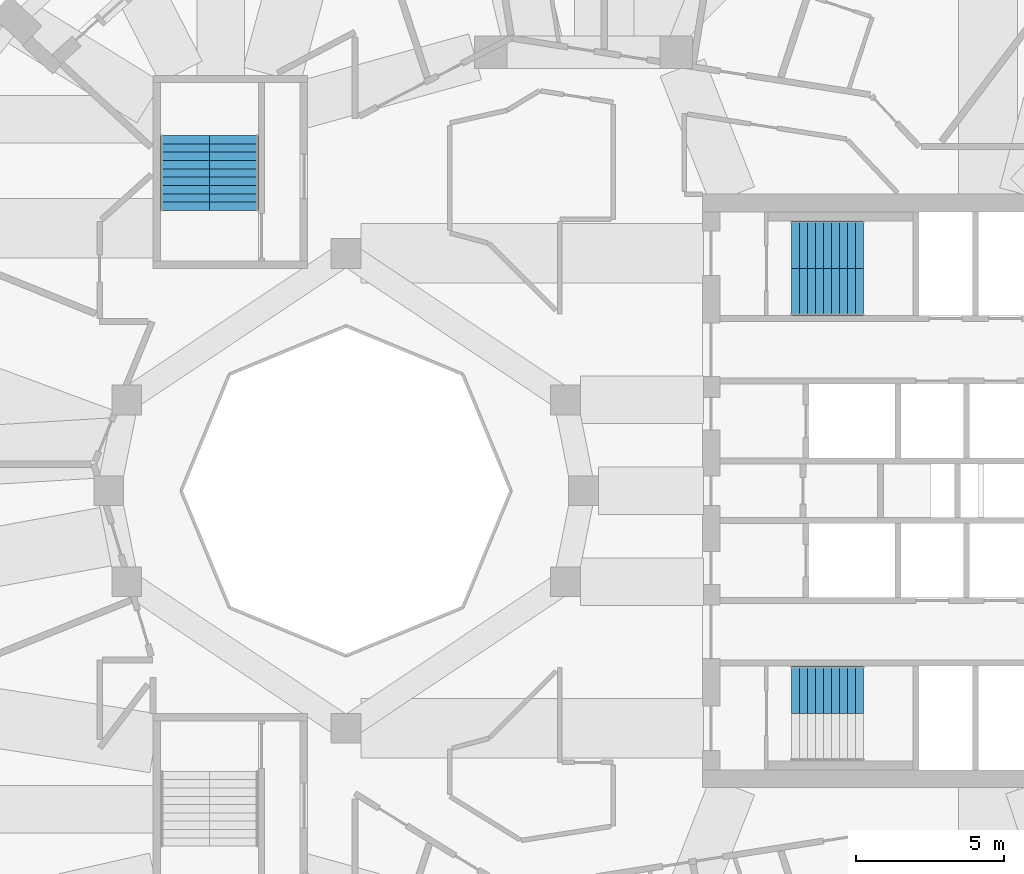
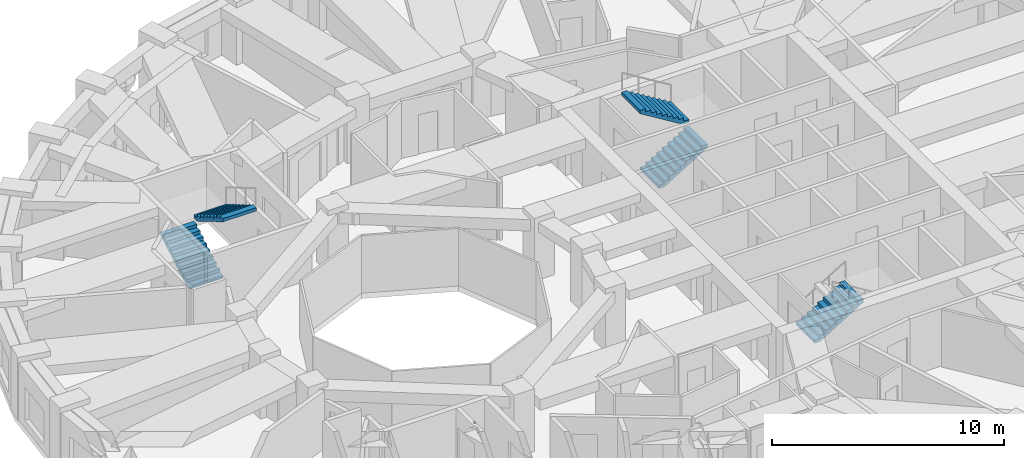
# One storey, part 9 of 12: 5 stair flights, 3 elements without a shape of their own.
"""IFC4 building model written with IfcOpenShell, lengths in metres."""

from ifc_helpers import new_model, si_unit, direction, frame, origin, place, context, subcontext, project, spatial, polyline, outline, extrude, material, type_object, element, aggregate, save


model = new_model("IFC4")

# Units and contexts
model_context = context("Model", 3, precision=1e-05, world=origin(), true_north=direction((0.0, 1.0)))
body_context = subcontext(model_context, "Body", "Model", "MODEL_VIEW")
ifc_project = project(units=[si_unit("LENGTHUNIT", "METRE"), si_unit("AREAUNIT", "SQUARE_METRE"), si_unit("VOLUMEUNIT", "CUBIC_METRE"), si_unit("PLANEANGLEUNIT", "RADIAN"), si_unit("MASSUNIT", "GRAM", prefix="KILO")], contexts=[model_context])

# Site, building, storey
site_placement = place(None, origin())
site = spatial("IfcSite", under=ifc_project, at=site_placement, CompositionType="ELEMENT")
building_placement = place(site_placement, origin())
building = spatial("IfcBuilding", under=site, at=building_placement, Name="Taillehof Tower", CompositionType="ELEMENT")
storey_placement = place(building_placement, frame((0.0, 0.0, 212.300048828125)))
storey = spatial("IfcBuildingStorey", under=building, at=storey_placement, Name="L60", CompositionType="ELEMENT", Elevation=212.300048828125)

# Stair, stair flights
ifc_material_1 = material(Name="Concrete C40/50", Category="concrete")
stair_type = type_object("IfcStairType", Name="Exit stair half-turn", PredefinedType="HALF_TURN_STAIR", material=ifc_material_1)
stair_1_placement = place(storey_placement, origin())
stair_1 = element("IfcStair", 1, at=stair_1_placement, inside=storey, type_object=stair_type, Name="Exit stair S1", PredefinedType="HALF_TURN_STAIR")
ifc_material_2 = material(Name="Concrete C40/50", Category="concrete")
stair_flight_type_1 = type_object("IfcStairFlightType", Name="Stair flight 1600 riser 165.0 going 270", PredefinedType="STRAIGHT", material=ifc_material_2)
stair_flight_1_placement = place(storey_placement, frame((7.0, 6.699951171875, 0.0), z_axis=(0.0, 0.0, 1.0), x_axis=(1.0, 0.0, 0.0)))
stair_flight_1 = element("IfcStairFlight", 2, at=stair_flight_1_placement, type_object=stair_flight_type_1, Name="S1 flight 1", NumberOfRisers=10, NumberOfTreads=9, PredefinedType="STRAIGHT", RiserHeight=0.165, TreadLength=0.27, context=body_context, shape_type="SweptSolid", body=[
    extrude(outline(polyline([(0.0, 0.0), (0.0, 0.00537109375), (0.0, 0.0107421875), (0.0, 0.015869140625), (0.0, 0.021240234375), (0.0, 0.026611328125), (0.0, 0.031982421875), (0.0, 0.037353515625), (0.0, 0.04248046875), (0.0, 0.0478515625), (0.0, 0.05322265625), (0.0, 0.05859375), (0.0, 0.06396484375), (0.0, 0.069091796875), (0.0, 0.074462890625), (0.0, 0.079833984375), (0.0, 0.085205078125), (0.0, 0.090576171875), (0.0, 0.095703125), (0.0, 0.10107421875), (0.0, 0.1064453125), (0.0, 0.11181640625), (0.0, 0.1171875), (0.0, 0.122314453125), (0.0, 0.127685546875), (0.0, 0.133056640625), (0.0, 0.138427734375), (0.0, 0.143798828125), (0.0, 0.14892578125), (0.0, 0.154296875), (0.0, 0.15966796875), (0.0, 0.1650390625), (0.27001953125, 0.1650390625), (0.27001953125, 0.330078125), (0.5400390625, 0.330078125), (0.5400390625, 0.4951171875), (0.81005859375, 0.4951171875), (0.81005859375, 0.659912109375), (1.080078125, 0.659912109375), (1.080078125, 0.824951171875), (1.35009765625, 0.824951171875), (1.35009765625, 0.989990234375), (1.6201171875, 0.989990234375), (1.6201171875, 1.155029296875), (1.889892578125, 1.155029296875), (1.889892578125, 1.320068359375), (2.159912109375, 1.320068359375), (2.159912109375, 1.485107421875), (2.429931640625, 1.485107421875), (2.429931640625, 1.479248046875), (2.429931640625, 1.4736328125), (2.429931640625, 1.468017578125), (2.429931640625, 1.46240234375), (2.429931640625, 1.45654296875), (2.429931640625, 1.450927734375), (2.429931640625, 1.4453125), (2.429931640625, 1.439697265625), (2.429931640625, 1.43408203125), (2.429931640625, 1.42822265625), (2.429931640625, 1.422607421875), (2.429931640625, 1.4169921875), (2.429931640625, 1.411376953125), (2.429931640625, 1.40576171875), (2.429931640625, 1.39990234375), (2.429931640625, 1.394287109375), (2.429931640625, 1.388671875), (2.429931640625, 1.383056640625), (2.429931640625, 1.37744140625), (2.429931640625, 1.37158203125), (2.429931640625, 1.365966796875), (2.429931640625, 1.3603515625), (2.429931640625, 1.354736328125), (2.429931640625, 1.348876953125), (2.429931640625, 1.34326171875), (2.429931640625, 1.337646484375), (2.429931640625, 1.33203125), (2.429931640625, 1.326416015625), (2.429931640625, 1.320556640625), (2.429931640625, 1.31494140625), (2.429931640625, 1.309326171875), (0.287353515625, 0.0), (0.0, 0.0)])), frame((0.0, 0.800048828125, 0.0), z_axis=(0.0, -1.0, 0.0), x_axis=(1.0, 0.0, 0.0)), (0.0, 0.0, 1.0), 1.6),
])
stair_flight_2_placement = place(storey_placement, frame((9.429931640625, 8.300048828125, 1.64990234375), z_axis=(0.0, 0.0, 1.0), x_axis=(-1.0, 0.0, 0.0)))
stair_flight_2 = element("IfcStairFlight", 3, at=stair_flight_2_placement, type_object=stair_flight_type_1, Name="S1 flight 2", NumberOfRisers=10, NumberOfTreads=9, PredefinedType="STRAIGHT", RiserHeight=0.165, TreadLength=0.27, context=body_context, shape_type="SweptSolid", body=[
    extrude(outline(polyline([(0.0, 0.0), (0.0, 0.00537109375), (0.0, 0.0107421875), (0.0, 0.015869140625), (0.0, 0.021240234375), (0.0, 0.026611328125), (0.0, 0.031982421875), (0.0, 0.037353515625), (0.0, 0.04248046875), (0.0, 0.0478515625), (0.0, 0.05322265625), (0.0, 0.05859375), (0.0, 0.06396484375), (0.0, 0.069091796875), (0.0, 0.074462890625), (0.0, 0.079833984375), (0.0, 0.085205078125), (0.0, 0.090576171875), (0.0, 0.095703125), (0.0, 0.10107421875), (0.0, 0.1064453125), (0.0, 0.11181640625), (0.0, 0.1171875), (0.0, 0.122314453125), (0.0, 0.127685546875), (0.0, 0.133056640625), (0.0, 0.138427734375), (0.0, 0.143798828125), (0.0, 0.14892578125), (0.0, 0.154296875), (0.0, 0.15966796875), (0.0, 0.1650390625), (0.27001953125, 0.1650390625), (0.27001953125, 0.330078125), (0.5400390625, 0.330078125), (0.5400390625, 0.4951171875), (0.81005859375, 0.4951171875), (0.81005859375, 0.659912109375), (1.080078125, 0.659912109375), (1.080078125, 0.824951171875), (1.35009765625, 0.824951171875), (1.35009765625, 0.989990234375), (1.6201171875, 0.989990234375), (1.6201171875, 1.155029296875), (1.889892578125, 1.155029296875), (1.889892578125, 1.320068359375), (2.159912109375, 1.320068359375), (2.159912109375, 1.485107421875), (2.429931640625, 1.485107421875), (2.429931640625, 1.479248046875), (2.429931640625, 1.4736328125), (2.429931640625, 1.468017578125), (2.429931640625, 1.46240234375), (2.429931640625, 1.45654296875), (2.429931640625, 1.450927734375), (2.429931640625, 1.4453125), (2.429931640625, 1.439697265625), (2.429931640625, 1.43408203125), (2.429931640625, 1.42822265625), (2.429931640625, 1.422607421875), (2.429931640625, 1.4169921875), (2.429931640625, 1.411376953125), (2.429931640625, 1.40576171875), (2.429931640625, 1.39990234375), (2.429931640625, 1.394287109375), (2.429931640625, 1.388671875), (2.429931640625, 1.383056640625), (2.429931640625, 1.37744140625), (2.429931640625, 1.37158203125), (2.429931640625, 1.365966796875), (2.429931640625, 1.3603515625), (2.429931640625, 1.354736328125), (2.429931640625, 1.348876953125), (2.429931640625, 1.34326171875), (2.429931640625, 1.337646484375), (2.429931640625, 1.33203125), (2.429931640625, 1.326416015625), (2.429931640625, 1.320556640625), (2.429931640625, 1.31494140625), (2.429931640625, 1.309326171875), (0.287353515625, 0.0), (0.0, 0.0)])), frame((0.0, 0.800048828125, 0.0), z_axis=(0.0, -1.0, 0.0), x_axis=(1.0, 0.0, 0.0)), (0.0, 0.0, 1.0), 1.6),
])
aggregate(stair_1, [stair_flight_1, stair_flight_2])

# Stair, stair flight
stair_2_placement = place(storey_placement, origin())
stair_2 = element("IfcStair", 4, at=stair_2_placement, inside=storey, type_object=stair_type, Name="Exit stair S2", PredefinedType="HALF_TURN_STAIR")
stair_flight_3_placement = place(storey_placement, frame((7.0, -6.699951171875, 0.0), z_axis=(0.0, 0.0, 1.0), x_axis=(1.0, 0.0, 0.0)))
stair_flight_3 = element("IfcStairFlight", 5, at=stair_flight_3_placement, type_object=stair_flight_type_1, Name="S2 flight 1", NumberOfRisers=10, NumberOfTreads=9, PredefinedType="STRAIGHT", RiserHeight=0.165, TreadLength=0.27, context=body_context, shape_type="SweptSolid", body=[
    extrude(outline(polyline([(0.0, 0.0), (0.0, 0.00537109375), (0.0, 0.0107421875), (0.0, 0.015869140625), (0.0, 0.021240234375), (0.0, 0.026611328125), (0.0, 0.031982421875), (0.0, 0.037353515625), (0.0, 0.04248046875), (0.0, 0.0478515625), (0.0, 0.05322265625), (0.0, 0.05859375), (0.0, 0.06396484375), (0.0, 0.069091796875), (0.0, 0.074462890625), (0.0, 0.079833984375), (0.0, 0.085205078125), (0.0, 0.090576171875), (0.0, 0.095703125), (0.0, 0.10107421875), (0.0, 0.1064453125), (0.0, 0.11181640625), (0.0, 0.1171875), (0.0, 0.122314453125), (0.0, 0.127685546875), (0.0, 0.133056640625), (0.0, 0.138427734375), (0.0, 0.143798828125), (0.0, 0.14892578125), (0.0, 0.154296875), (0.0, 0.15966796875), (0.0, 0.1650390625), (0.27001953125, 0.1650390625), (0.27001953125, 0.330078125), (0.5400390625, 0.330078125), (0.5400390625, 0.4951171875), (0.81005859375, 0.4951171875), (0.81005859375, 0.659912109375), (1.080078125, 0.659912109375), (1.080078125, 0.824951171875), (1.35009765625, 0.824951171875), (1.35009765625, 0.989990234375), (1.6201171875, 0.989990234375), (1.6201171875, 1.155029296875), (1.889892578125, 1.155029296875), (1.889892578125, 1.320068359375), (2.159912109375, 1.320068359375), (2.159912109375, 1.485107421875), (2.429931640625, 1.485107421875), (2.429931640625, 1.479248046875), (2.429931640625, 1.4736328125), (2.429931640625, 1.468017578125), (2.429931640625, 1.46240234375), (2.429931640625, 1.45654296875), (2.429931640625, 1.450927734375), (2.429931640625, 1.4453125), (2.429931640625, 1.439697265625), (2.429931640625, 1.43408203125), (2.429931640625, 1.42822265625), (2.429931640625, 1.422607421875), (2.429931640625, 1.4169921875), (2.429931640625, 1.411376953125), (2.429931640625, 1.40576171875), (2.429931640625, 1.39990234375), (2.429931640625, 1.394287109375), (2.429931640625, 1.388671875), (2.429931640625, 1.383056640625), (2.429931640625, 1.37744140625), (2.429931640625, 1.37158203125), (2.429931640625, 1.365966796875), (2.429931640625, 1.3603515625), (2.429931640625, 1.354736328125), (2.429931640625, 1.348876953125), (2.429931640625, 1.34326171875), (2.429931640625, 1.337646484375), (2.429931640625, 1.33203125), (2.429931640625, 1.326416015625), (2.429931640625, 1.320556640625), (2.429931640625, 1.31494140625), (2.429931640625, 1.309326171875), (0.287353515625, 0.0), (0.0, 0.0)])), frame((0.0, 0.800048828125, 0.0), z_axis=(0.0, -1.0, 0.0), x_axis=(1.0, 0.0, 0.0)), (0.0, 0.0, 1.0), 1.6),
])
aggregate(stair_2, [stair_flight_3])

# Stair, stair flights
stair_3_placement = place(storey_placement, origin())
stair_3 = element("IfcStair", 6, at=stair_3_placement, inside=storey, type_object=stair_type, Name="Exit stair S3", PredefinedType="HALF_TURN_STAIR")
ifc_material_3 = material(Name="Concrete C40/50", Category="concrete")
stair_flight_type_2 = type_object("IfcStairFlightType", Name="Stair flight 1650 riser 165.0 going 280", PredefinedType="STRAIGHT", material=ifc_material_3)
stair_flight_4_placement = place(storey_placement, frame((-13.425048828125, 9.449951171875, 0.0), z_axis=(0.0, 0.0, 1.0), x_axis=(0.0, 1.0, 0.0)))
stair_flight_4 = element("IfcStairFlight", 7, at=stair_flight_4_placement, type_object=stair_flight_type_2, Name="S3 flight 1", NumberOfRisers=10, NumberOfTreads=9, PredefinedType="STRAIGHT", RiserHeight=0.165, TreadLength=0.28, context=body_context, shape_type="SweptSolid", body=[
    extrude(outline(polyline([(0.0, 0.0), (0.0, 0.00537109375), (0.0, 0.0107421875), (0.0, 0.015869140625), (0.0, 0.021240234375), (0.0, 0.026611328125), (0.0, 0.031982421875), (0.0, 0.037353515625), (0.0, 0.04248046875), (0.0, 0.0478515625), (0.0, 0.05322265625), (0.0, 0.05859375), (0.0, 0.06396484375), (0.0, 0.069091796875), (0.0, 0.074462890625), (0.0, 0.079833984375), (0.0, 0.085205078125), (0.0, 0.090576171875), (0.0, 0.095703125), (0.0, 0.10107421875), (0.0, 0.1064453125), (0.0, 0.11181640625), (0.0, 0.1171875), (0.0, 0.122314453125), (0.0, 0.127685546875), (0.0, 0.133056640625), (0.0, 0.138427734375), (0.0, 0.143798828125), (0.0, 0.14892578125), (0.0, 0.154296875), (0.0, 0.15966796875), (0.0, 0.1650390625), (0.280029296875, 0.1650390625), (0.280029296875, 0.330078125), (0.56005859375, 0.330078125), (0.56005859375, 0.4951171875), (0.840087890625, 0.4951171875), (0.840087890625, 0.659912109375), (1.1201171875, 0.659912109375), (1.1201171875, 0.824951171875), (1.39990234375, 0.824951171875), (1.39990234375, 0.989990234375), (1.679931640625, 0.989990234375), (1.679931640625, 1.155029296875), (1.9599609375, 1.155029296875), (1.9599609375, 1.320068359375), (2.239990234375, 1.320068359375), (2.239990234375, 1.485107421875), (2.52001953125, 1.485107421875), (2.52001953125, 1.4794921875), (2.52001953125, 1.473876953125), (2.52001953125, 1.46826171875), (2.52001953125, 1.462646484375), (2.52001953125, 1.45703125), (2.52001953125, 1.451416015625), (2.52001953125, 1.44580078125), (2.52001953125, 1.440185546875), (2.52001953125, 1.4345703125), (2.52001953125, 1.428955078125), (2.52001953125, 1.42333984375), (2.52001953125, 1.417724609375), (2.52001953125, 1.412109375), (2.52001953125, 1.406494140625), (2.52001953125, 1.40087890625), (2.52001953125, 1.395263671875), (2.52001953125, 1.3896484375), (2.52001953125, 1.384033203125), (2.52001953125, 1.37841796875), (2.52001953125, 1.372802734375), (2.52001953125, 1.3671875), (2.52001953125, 1.361572265625), (2.52001953125, 1.35595703125), (2.52001953125, 1.350341796875), (2.52001953125, 1.3447265625), (2.52001953125, 1.339111328125), (2.52001953125, 1.33349609375), (2.52001953125, 1.327880859375), (2.52001953125, 1.322265625), (2.52001953125, 1.316650390625), (2.52001953125, 1.31103515625), (0.295166015625, 0.0), (0.0, 0.0)])), frame((0.0, 0.824951171875, 0.0), z_axis=(0.0, -1.0, 0.0), x_axis=(1.0, 0.0, 0.0)), (0.0, 0.0, 1.0), 1.65),
])
stair_flight_5_placement = place(storey_placement, frame((-11.77490234375, 11.969970703125, 1.64990234375), z_axis=(0.0, 0.0, 1.0), x_axis=(0.0, -1.0, 0.0)))
stair_flight_5 = element("IfcStairFlight", 8, at=stair_flight_5_placement, type_object=stair_flight_type_2, Name="S3 flight 2", NumberOfRisers=10, NumberOfTreads=9, PredefinedType="STRAIGHT", RiserHeight=0.165, TreadLength=0.28, context=body_context, shape_type="SweptSolid", body=[
    extrude(outline(polyline([(0.0, 0.0), (0.0, 0.00537109375), (0.0, 0.0107421875), (0.0, 0.015869140625), (0.0, 0.021240234375), (0.0, 0.026611328125), (0.0, 0.031982421875), (0.0, 0.037353515625), (0.0, 0.04248046875), (0.0, 0.0478515625), (0.0, 0.05322265625), (0.0, 0.05859375), (0.0, 0.06396484375), (0.0, 0.069091796875), (0.0, 0.074462890625), (0.0, 0.079833984375), (0.0, 0.085205078125), (0.0, 0.090576171875), (0.0, 0.095703125), (0.0, 0.10107421875), (0.0, 0.1064453125), (0.0, 0.11181640625), (0.0, 0.1171875), (0.0, 0.122314453125), (0.0, 0.127685546875), (0.0, 0.133056640625), (0.0, 0.138427734375), (0.0, 0.143798828125), (0.0, 0.14892578125), (0.0, 0.154296875), (0.0, 0.15966796875), (0.0, 0.1650390625), (0.280029296875, 0.1650390625), (0.280029296875, 0.330078125), (0.56005859375, 0.330078125), (0.56005859375, 0.4951171875), (0.840087890625, 0.4951171875), (0.840087890625, 0.659912109375), (1.1201171875, 0.659912109375), (1.1201171875, 0.824951171875), (1.39990234375, 0.824951171875), (1.39990234375, 0.989990234375), (1.679931640625, 0.989990234375), (1.679931640625, 1.155029296875), (1.9599609375, 1.155029296875), (1.9599609375, 1.320068359375), (2.239990234375, 1.320068359375), (2.239990234375, 1.485107421875), (2.52001953125, 1.485107421875), (2.52001953125, 1.4794921875), (2.52001953125, 1.473876953125), (2.52001953125, 1.46826171875), (2.52001953125, 1.462646484375), (2.52001953125, 1.45703125), (2.52001953125, 1.451416015625), (2.52001953125, 1.44580078125), (2.52001953125, 1.440185546875), (2.52001953125, 1.4345703125), (2.52001953125, 1.428955078125), (2.52001953125, 1.42333984375), (2.52001953125, 1.417724609375), (2.52001953125, 1.412109375), (2.52001953125, 1.406494140625), (2.52001953125, 1.40087890625), (2.52001953125, 1.395263671875), (2.52001953125, 1.3896484375), (2.52001953125, 1.384033203125), (2.52001953125, 1.37841796875), (2.52001953125, 1.372802734375), (2.52001953125, 1.3671875), (2.52001953125, 1.361572265625), (2.52001953125, 1.35595703125), (2.52001953125, 1.350341796875), (2.52001953125, 1.3447265625), (2.52001953125, 1.339111328125), (2.52001953125, 1.33349609375), (2.52001953125, 1.327880859375), (2.52001953125, 1.322265625), (2.52001953125, 1.316650390625), (2.52001953125, 1.31103515625), (0.295166015625, 0.0), (0.0, 0.0)])), frame((0.0, 0.824951171875, 0.0), z_axis=(0.0, -1.0, 0.0), x_axis=(1.0, 0.0, 0.0)), (0.0, 0.0, 1.0), 1.65),
])
aggregate(stair_3, [stair_flight_4, stair_flight_5])

save(model, "model.ifc")
